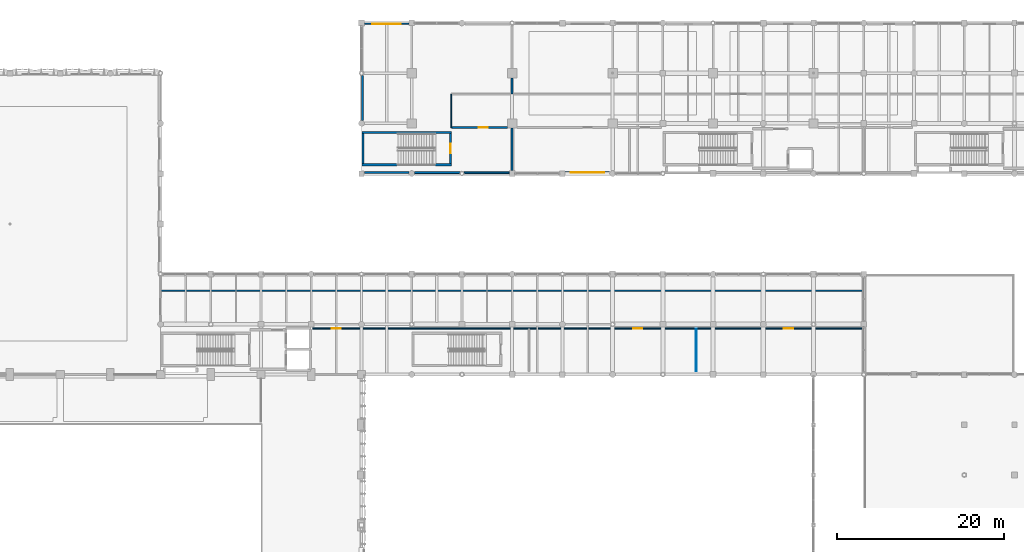
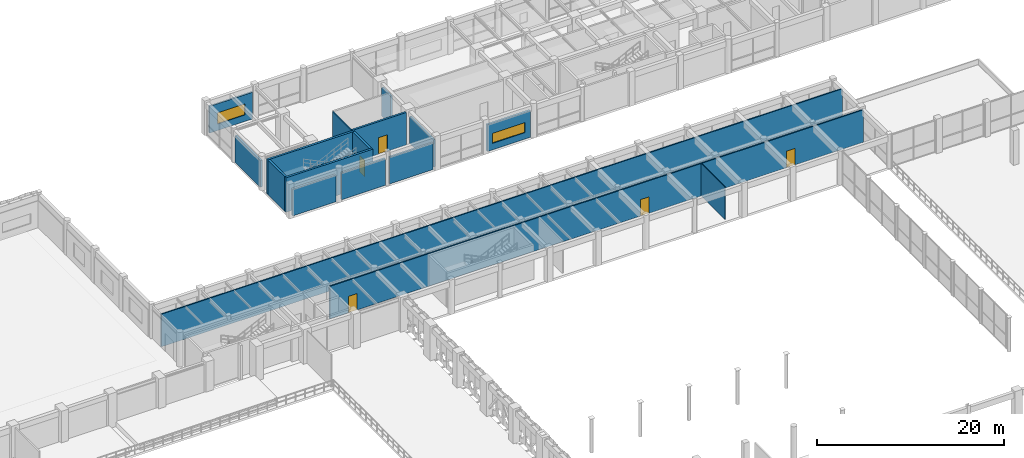
# One storey, part 91 of 116: 17 walls, 5 doors, 2 windows, 7 openings.
"""IFC4 building model written with IfcOpenShell, lengths in metres."""

from ifc_helpers import new_model, si_unit, direction, frame, frame_2d, origin, place, context, subcontext, project, spatial, rectangle, extrude, material, layer, layer_set, type_object, element, fill, save


model = new_model("IFC4")

# Units and contexts
model_context = context("Model", 3, precision=1e-05, world=origin(), true_north=direction((0.0, 1.0)))
body_context = subcontext(model_context, "Body", "Model", "MODEL_VIEW")
ifc_project = project(units=[si_unit("LENGTHUNIT", "METRE"), si_unit("AREAUNIT", "SQUARE_METRE"), si_unit("VOLUMEUNIT", "CUBIC_METRE"), si_unit("PLANEANGLEUNIT", "RADIAN"), si_unit("MASSUNIT", "GRAM", prefix="KILO"), si_unit("THERMODYNAMICTEMPERATUREUNIT", "KELVIN"), si_unit("POWERUNIT", "WATT")], contexts=[model_context])

# Site, building, storey
site_placement = place(None, origin())
site = spatial("IfcSite", under=ifc_project, at=site_placement, CompositionType="ELEMENT")
building_placement = place(site_placement, origin())
building = spatial("IfcBuilding", under=site, at=building_placement, Name="Phaisarnlok Congress Hotel", CompositionType="ELEMENT")
storey_placement = place(building_placement, frame((0.0, 0.0, 10.5)))
storey = spatial("IfcBuildingStorey", under=building, at=storey_placement, Name="L02", CompositionType="ELEMENT", Elevation=10.5)

# Wall
ifc_material_1 = material(Name="Concrete C40/50", Category="concrete")
ifc_layer_1 = layer(ifc_material_1, 0.2099609375, Name="Concrete C40/50")
ifc_layer_set_1 = layer_set([ifc_layer_1], Name="Concrete C40/50")
wall_type_1 = type_object("IfcWallType", Name="WL-EXT-210", PredefinedType="SOLIDWALL", material=ifc_layer_set_1)
wall_1_placement = place(storey_placement, frame((78.259033203125, 108.10498046875, 0.0), z_axis=(0.0, 0.0, 1.0), x_axis=(1.0, 0.0, 0.0)))
element("IfcWall", 1, at=wall_1_placement, inside=storey, type_object=wall_type_1, Name="Exterior wall EW-07 (L02)", PredefinedType="SOLIDWALL", context=body_context, shape_type="SweptSolid", body=[
    extrude(rectangle(XDim=5.385986328125, YDim=0.2099609375, at=frame_2d((2.69287109375, 0.0))), origin(), (0.0, 0.0, 1.0), 3.489990234375),
])

# Wall, opening, window
wall_2_placement = place(storey_placement, frame((71.669921875, 125.89501953125, 0.0), z_axis=(0.0, 0.0, 1.0), x_axis=(-1.0, 0.0, 0.0)))
wall_2 = element("IfcWall", 2, at=wall_2_placement, inside=storey, type_object=wall_type_1, Name="Exterior wall EW-07 (L02)", PredefinedType="SOLIDWALL", context=body_context, shape_type="SweptSolid", body=[
    extrude(rectangle(XDim=5.31494140625, YDim=0.2099609375, at=frame_2d((2.657470703125, 0.0))), origin(), (0.0, 0.0, 1.0), 3.489990234375),
])
opening_1_placement = place(wall_2_placement, frame((0.95703125, 0.0, 0.85009765625)))
opening_1 = element("IfcOpeningElement", 3, at=opening_1_placement, cuts=wall_2, Name="Opening W-18", PredefinedType="OPENING", context=body_context, shape_type="SweptSolid", body=[
    extrude(rectangle(XDim=3.39990234375, YDim=1.449951171875, at=frame_2d((1.699951171875, 0.72509765625))), frame((0.0, 0.114990234375, 0.0), z_axis=(0.0, -1.0, 0.0), x_axis=(1.0, 0.0, 0.0)), (0.0, 0.0, 1.0), 0.22998046875),
])
ifc_material_2 = material(Name="Thermally Broken Aluminium & Low-E Double Glazing", Category="aluminium")
window_type_1 = type_object("IfcWindowType", Name="WIN-RIB-3400", PartitioningType="SINGLE_PANEL", PredefinedType="WINDOW", material=ifc_material_2)
window_1_placement = place(opening_1_placement, origin())
window_1 = element("IfcWindow", 4, at=window_1_placement, inside=storey, type_object=window_type_1, Name="Podium window W-18 (L02)", OverallHeight=1.449951171875, OverallWidth=3.39990234375, PartitioningType="SINGLE_PANEL", PredefinedType="WINDOW", context=body_context, shape_type="SweptSolid", body=[
    extrude(rectangle(XDim=3.39990234375, YDim=1.449951171875, at=frame_2d((1.699951171875, 0.72509765625))), frame((0.0, 0.030029296875, 0.0), z_axis=(0.0, -1.0, 0.0), x_axis=(1.0, 0.0, 0.0)), (0.0, 0.0, 1.0), 0.06005859375),
])
fill(opening_1, window_1)

# Walls
ifc_layer_2 = layer(ifc_material_1, 0.22998046875, Name="Concrete C40/50")
ifc_layer_set_2 = layer_set([ifc_layer_2], Name="Concrete C40/50")
wall_type_2 = type_object("IfcWallType", Name="WL-EXT-230", PredefinedType="SOLIDWALL", material=ifc_layer_set_2)
wall_3_placement = place(storey_placement, frame((72.35498046875, 108.114990234375, 0.0), z_axis=(0.0, 0.0, 1.0), x_axis=(1.0, 0.0, 0.0)))
element("IfcWall", 5, at=wall_3_placement, inside=storey, type_object=wall_type_2, Name="Exterior wall EW-06 (L02)", PredefinedType="SOLIDWALL", context=body_context, shape_type="SweptSolid", body=[
    extrude(rectangle(XDim=5.385986328125, YDim=0.22998046875, at=frame_2d((2.69287109375, 0.0))), origin(), (0.0, 0.0, 1.0), 3.489990234375),
])
ifc_layer_3 = layer(ifc_material_1, 0.25, Name="Concrete C40/50")
ifc_layer_set_3 = layer_set([ifc_layer_3], Name="Concrete C40/50")
wall_type_3 = type_object("IfcWallType", Name="WL-EXT-250", PredefinedType="SOLIDWALL", material=ifc_layer_set_3)
wall_4_placement = place(storey_placement, frame((66.330078125, 108.125, 0.0), z_axis=(0.0, 0.0, 1.0), x_axis=(1.0, 0.0, 0.0)))
element("IfcWall", 6, at=wall_4_placement, inside=storey, type_object=wall_type_3, Name="Exterior wall EW-05 (L02)", PredefinedType="SOLIDWALL", context=body_context, shape_type="SweptSolid", body=[
    extrude(rectangle(XDim=5.31494140625, YDim=0.25, at=frame_2d((2.657470703125, 0.0))), origin(), (0.0, 0.0, 1.0), 3.489990234375),
])

# Wall, opening, window
wall_5_placement = place(storey_placement, frame((90.330078125, 108.125, 0.0), z_axis=(0.0, 0.0, 1.0), x_axis=(1.0, 0.0, 0.0)))
wall_5 = element("IfcWall", 7, at=wall_5_placement, inside=storey, type_object=wall_type_3, Name="Exterior wall EW-05 (L02)", PredefinedType="SOLIDWALL", context=body_context, shape_type="SweptSolid", body=[
    extrude(rectangle(XDim=5.31494140625, YDim=0.25, at=frame_2d((2.657470703125, 0.0))), origin(), (0.0, 0.0, 1.0), 3.489990234375),
])
opening_2_placement = place(wall_5_placement, frame((0.656982421875, 0.0, 0.85009765625)))
opening_2 = element("IfcOpeningElement", 8, at=opening_2_placement, cuts=wall_5, Name="Opening W-19", PredefinedType="OPENING", context=body_context, shape_type="SweptSolid", body=[
    extrude(rectangle(XDim=4.0, YDim=1.300048828125, at=frame_2d((2.0, 0.64990234375))), frame((0.0, 0.135009765625, 0.0), z_axis=(0.0, -1.0, 0.0), x_axis=(1.0, 0.0, 0.0)), (0.0, 0.0, 1.0), 0.27001953125),
])
window_type_2 = type_object("IfcWindowType", Name="WIN-CLER-4000", PartitioningType="SINGLE_PANEL", PredefinedType="WINDOW", material=ifc_material_2)
window_2_placement = place(opening_2_placement, origin())
window_2 = element("IfcWindow", 9, at=window_2_placement, inside=storey, type_object=window_type_2, Name="Podium window W-19 (L02)", OverallHeight=1.300048828125, OverallWidth=4.0, PartitioningType="SINGLE_PANEL", PredefinedType="WINDOW", context=body_context, shape_type="SweptSolid", body=[
    extrude(rectangle(XDim=4.0, YDim=1.300048828125, at=frame_2d((2.0, 0.64990234375))), frame((0.0, 0.030029296875, 0.0), z_axis=(0.0, -1.0, 0.0), x_axis=(1.0, 0.0, 0.0)), (0.0, 0.0, 1.0), 0.06005859375),
])
fill(opening_2, window_2)

# Walls
wall_6_placement = place(storey_placement, frame((66.125, 119.740966796875, 0.0), z_axis=(0.0, 0.0, 1.0), x_axis=(0.0, -1.0, 0.0)))
element("IfcWall", 10, at=wall_6_placement, inside=storey, type_object=wall_type_3, Name="Exterior wall EW-05 (L02)", PredefinedType="SOLIDWALL", context=body_context, shape_type="SweptSolid", body=[
    extrude(rectangle(XDim=5.385986328125, YDim=0.25, at=frame_2d((2.69287109375, 0.0))), origin(), (0.0, 0.0, 1.0), 3.489990234375),
])
ifc_material_3 = material(Name="Service Riser Shaftwall Partition", Category="gypsum")
ifc_layer_4 = layer(ifc_material_3, 0.10498046875, Name="Service Riser Shaftwall Partition")
ifc_layer_set_4 = layer_set([ifc_layer_4], Name="Service Riser Shaftwall Partition")
wall_type_4 = type_object("IfcWallType", Name="WL-INT-105", PredefinedType="PARTITIONING", material=ifc_layer_set_4)
wall_7_placement = place(storey_placement, frame((106.0, 84.3701171875, 0.0), z_axis=(0.0, 0.0, 1.0), x_axis=(0.0, 1.0, 0.0)))
element("IfcWall", 11, at=wall_7_placement, inside=storey, type_object=wall_type_4, Name="Interior partition wall IW-08 (L02)", PredefinedType="PARTITIONING", context=body_context, shape_type="SweptSolid", body=[
    extrude(rectangle(XDim=5.1298828125, YDim=0.10498046875, at=frame_2d((2.56494140625, 0.0))), origin(), (0.0, 0.0, 1.0), 4.239990234375),
])
ifc_material_4 = material(Name="Lightweight Metal-Stud Gypsum Partition", Category="gypsum")
ifc_layer_5 = layer(ifc_material_4, 0.1201171875, Name="Lightweight Metal-Stud Gypsum Partition")
ifc_layer_set_5 = layer_set([ifc_layer_5], Name="Lightweight Metal-Stud Gypsum Partition")
wall_type_5 = type_object("IfcWallType", Name="WL-INT-120", PredefinedType="PARTITIONING", material=ifc_layer_set_5)
wall_8_placement = place(storey_placement, frame((76.75, 113.5, 0.0), z_axis=(0.0, 0.0, 1.0), x_axis=(0.0, 1.0, 0.0)))
element("IfcWall", 12, at=wall_8_placement, inside=storey, type_object=wall_type_5, Name="Interior partition wall IW-07 (L02)", PredefinedType="PARTITIONING", context=body_context, shape_type="SweptSolid", body=[
    extrude(rectangle(XDim=4.0, YDim=0.1201171875, at=frame_2d((2.0, 0.0))), origin(), (0.0, 0.0, 1.0), 4.239990234375),
])
ifc_material_5 = material(Name="Acoustic Gypsum Board & Mineral Wool", Category="gypsum")
ifc_layer_6 = layer(ifc_material_5, 0.14990234375, Name="Acoustic Gypsum Board & Mineral Wool")
ifc_layer_set_6 = layer_set([ifc_layer_6], Name="Acoustic Gypsum Board & Mineral Wool")
wall_type_6 = type_object("IfcWallType", Name="WL-INT-150", PredefinedType="PARTITIONING", material=ifc_layer_set_6)
wall_9_placement = place(storey_placement, frame((42.0, 94.0, 0.0), z_axis=(0.0, 0.0, 1.0), x_axis=(1.0, 0.0, 0.0)))
element("IfcWall", 13, at=wall_9_placement, inside=storey, type_object=wall_type_6, Name="Interior partition wall IW-05 (L02)", PredefinedType="PARTITIONING", context=body_context, shape_type="SweptSolid", body=[
    extrude(rectangle(XDim=83.955078125, YDim=0.14990234375, at=frame_2d((41.9775390625, 0.0))), origin(), (0.0, 0.0, 1.0), 4.239990234375),
])

# Wall, openings, doors
ifc_material_6 = material(Name="Double-Stud Acoustic Gypsum Partition", Category="gypsum")
ifc_layer_7 = layer(ifc_material_6, 0.159912109375, Name="Double-Stud Acoustic Gypsum Partition")
ifc_layer_set_7 = layer_set([ifc_layer_7], Name="Double-Stud Acoustic Gypsum Partition")
wall_type_7 = type_object("IfcWallType", Name="WL-INT-160", PredefinedType="PARTITIONING", material=ifc_layer_set_7)
wall_10_placement = place(storey_placement, frame((60.179931640625, 89.5, 0.0), z_axis=(0.0, 0.0, 1.0), x_axis=(1.0, 0.0, 0.0)))
wall_10 = element("IfcWall", 14, at=wall_10_placement, inside=storey, type_object=wall_type_7, Name="Interior partition wall IW-04 (L02)", PredefinedType="PARTITIONING", context=body_context, shape_type="SweptSolid", body=[
    extrude(rectangle(XDim=65.775146484375, YDim=0.159912109375, at=frame_2d((32.8876953125, 0.0))), origin(), (0.0, 0.0, 1.0), 4.239990234375),
])
opening_3_placement = place(wall_10_placement, frame((38.27001953125, 0.0, 0.0)))
opening_3 = element("IfcOpeningElement", 15, at=opening_3_placement, cuts=wall_10, Name="Opening D-0091", PredefinedType="OPENING", context=body_context, shape_type="SweptSolid", body=[
    extrude(rectangle(XDim=1.10009765625, YDim=2.14990234375, at=frame_2d((0.550048828125, 1.074951171875))), frame((0.0, 0.08984375, 0.0), z_axis=(0.0, -1.0, 0.0), x_axis=(1.0, 0.0, 0.0)), (0.0, 0.0, 1.0), 0.179931640625),
])
opening_4_placement = place(wall_10_placement, frame((56.27001953125, 0.0, 0.0)))
opening_4 = element("IfcOpeningElement", 16, at=opening_4_placement, cuts=wall_10, Name="Opening D-0092", PredefinedType="OPENING", context=body_context, shape_type="SweptSolid", body=[
    extrude(rectangle(XDim=1.10009765625, YDim=2.14990234375, at=frame_2d((0.550048828125, 1.074951171875))), frame((0.0, 0.08984375, 0.0), z_axis=(0.0, -1.0, 0.0), x_axis=(1.0, 0.0, 0.0)), (0.0, 0.0, 1.0), 0.179931640625),
])
opening_5_placement = place(wall_10_placement, frame((2.27001953125, 0.0, 0.0)))
opening_5 = element("IfcOpeningElement", 17, at=opening_5_placement, cuts=wall_10, Name="Opening D-0093", PredefinedType="OPENING", context=body_context, shape_type="SweptSolid", body=[
    extrude(rectangle(XDim=1.10009765625, YDim=2.14990234375, at=frame_2d((0.550048828125, 1.074951171875))), frame((0.0, 0.08984375, 0.0), z_axis=(0.0, -1.0, 0.0), x_axis=(1.0, 0.0, 0.0)), (0.0, 0.0, 1.0), 0.179931640625),
])
ifc_material_7 = material(Name="Fire-Rated Steel Frame & Timber Leaf", Category="steel")
door_type = type_object("IfcDoorType", Name="DR-FD60-1100", OperationType="NOTDEFINED", PredefinedType="DOOR", material=ifc_material_7)
door_1_placement = place(opening_3_placement, origin())
door_1 = element("IfcDoor", 18, at=door_1_placement, inside=storey, type_object=door_type, Name="Interior door D-0091 (L02)", OperationType="SINGLE_SWING_LEFT", OverallHeight=2.14990234375, OverallWidth=1.10009765625, PredefinedType="DOOR", context=body_context, shape_type="SweptSolid", body=[
    extrude(rectangle(XDim=1.10009765625, YDim=2.14990234375, at=frame_2d((0.550048828125, 1.074951171875))), frame((0.0, 0.02490234375, 0.0), z_axis=(0.0, -1.0, 0.0), x_axis=(1.0, 0.0, 0.0)), (0.0, 0.0, 1.0), 0.050048828125),
])
fill(opening_3, door_1)
door_2_placement = place(opening_4_placement, origin())
door_2 = element("IfcDoor", 19, at=door_2_placement, inside=storey, type_object=door_type, Name="Interior door D-0092 (L02)", OperationType="SINGLE_SWING_RIGHT", OverallHeight=2.14990234375, OverallWidth=1.10009765625, PredefinedType="DOOR", context=body_context, shape_type="SweptSolid", body=[
    extrude(rectangle(XDim=1.10009765625, YDim=2.14990234375, at=frame_2d((0.550048828125, 1.074951171875))), frame((0.0, 0.02490234375, 0.0), z_axis=(0.0, -1.0, 0.0), x_axis=(1.0, 0.0, 0.0)), (0.0, 0.0, 1.0), 0.050048828125),
])
fill(opening_4, door_2)
door_3_placement = place(opening_5_placement, origin())
door_3 = element("IfcDoor", 20, at=door_3_placement, inside=storey, type_object=door_type, Name="Interior door D-0093 (L02)", OperationType="SINGLE_SWING_LEFT", OverallHeight=2.14990234375, OverallWidth=1.10009765625, PredefinedType="DOOR", context=body_context, shape_type="SweptSolid", body=[
    extrude(rectangle(XDim=1.10009765625, YDim=2.14990234375, at=frame_2d((0.550048828125, 1.074951171875))), frame((0.0, 0.02490234375, 0.0), z_axis=(0.0, -1.0, 0.0), x_axis=(1.0, 0.0, 0.0)), (0.0, 0.0, 1.0), 0.050048828125),
])
fill(opening_5, door_3)

# Walls
ifc_layer_8 = layer(ifc_material_1, 0.239990234375, Name="Concrete C40/50")
ifc_layer_set_8 = layer_set([ifc_layer_8], Name="Concrete C40/50")
wall_type_8 = type_object("IfcWallType", Name="WL-INT-240", PredefinedType="PARTITIONING", material=ifc_layer_set_8)
wall_11_placement = place(storey_placement, frame((84.0, 108.3701171875, 0.0), z_axis=(0.0, 0.0, 1.0), x_axis=(0.0, 1.0, 0.0)))
element("IfcWall", 21, at=wall_11_placement, inside=storey, type_object=wall_type_8, Name="Interior partition wall IW-01 (L02)", PredefinedType="PARTITIONING", context=body_context, shape_type="SweptSolid", body=[
    extrude(rectangle(XDim=5.074951171875, YDim=0.239990234375, at=frame_2d((2.53759765625, 0.0))), origin(), (0.0, 0.0, 1.0), 3.5400390625),
])
wall_12_placement = place(storey_placement, frame((84.0, 117.5, 0.0), z_axis=(0.0, 0.0, 1.0), x_axis=(0.0, 1.0, 0.0)))
element("IfcWall", 22, at=wall_12_placement, inside=storey, type_object=wall_type_8, Name="Interior partition wall IW-01 (L02)", PredefinedType="PARTITIONING", context=body_context, shape_type="SweptSolid", body=[
    extrude(rectangle(XDim=1.945068359375, YDim=0.239990234375, at=frame_2d((0.97265625, 0.0))), origin(), (0.0, 0.0, 1.0), 3.68994140625),
])

# Wall, opening, door
wall_13_placement = place(storey_placement, frame((76.75, 113.5, 0.0), z_axis=(0.0, 0.0, 1.0), x_axis=(1.0, 0.0, 0.0)))
wall_13 = element("IfcWall", 23, at=wall_13_placement, inside=storey, type_object=wall_type_8, Name="Interior partition wall IW-01 (L02)", PredefinedType="PARTITIONING", context=body_context, shape_type="SweptSolid", body=[
    extrude(rectangle(XDim=6.695068359375, YDim=0.239990234375, at=frame_2d((3.34765625, 0.0))), origin(), (0.0, 0.0, 1.0), 4.239990234375),
])
opening_6_placement = place(wall_13_placement, frame((3.25, 0.0, 0.0)))
opening_6 = element("IfcOpeningElement", 24, at=opening_6_placement, cuts=wall_13, Name="Opening D-0108", PredefinedType="OPENING", context=body_context, shape_type="SweptSolid", body=[
    extrude(rectangle(XDim=1.10009765625, YDim=2.14990234375, at=frame_2d((0.550048828125, 1.074951171875))), frame((0.0, 0.1298828125, 0.0), z_axis=(0.0, -1.0, 0.0), x_axis=(1.0, 0.0, 0.0)), (0.0, 0.0, 1.0), 0.260009765625),
])
door_4_placement = place(opening_6_placement, origin())
door_4 = element("IfcDoor", 25, at=door_4_placement, inside=storey, type_object=door_type, Name="Interior door D-0108 (L02)", OperationType="SINGLE_SWING_LEFT", OverallHeight=2.14990234375, OverallWidth=1.10009765625, PredefinedType="DOOR", context=body_context, shape_type="SweptSolid", body=[
    extrude(rectangle(XDim=1.10009765625, YDim=2.14990234375, at=frame_2d((0.550048828125, 1.074951171875))), frame((0.0, 0.02490234375, 0.0), z_axis=(0.0, -1.0, 0.0), x_axis=(1.0, 0.0, 0.0)), (0.0, 0.0, 1.0), 0.050048828125),
])
fill(opening_6, door_4)

# Walls
ifc_material_8 = material(Name="Concrete C50/60", Category="concrete")
ifc_layer_9 = layer(ifc_material_8, 0.260009765625, Name="Concrete C50/60")
ifc_layer_set_9 = layer_set([ifc_layer_9], Name="Concrete C50/60")
wall_type_9 = type_object("IfcWallType", Name="WL-SHR-260", PredefinedType="SHEAR", material=ifc_layer_set_9)
for number, where, z_axis, x_axis, name in (
    (26, (66.0400390625, 109.070068359375, 0.0), (0.0, 0.0, 1.0), (1.0, 0.0, 0.0), "Stair shaft shear wall SW-04 (STAIR-HW L02)"),
    (27, (66.0400390625, 112.929931640625, 0.0), (0.0, 0.0, 1.0), (1.0, 0.0, 0.0), "Stair shaft shear wall SW-04 (STAIR-HW L02)"),
):
    element("IfcWall", number, at=place(storey_placement, frame(where, z_axis=z_axis, x_axis=x_axis)), inside=storey, type_object=wall_type_9, Name=name, PredefinedType="SHEAR", context=body_context, shape_type="SweptSolid", body=[
        extrude(rectangle(XDim=10.719970703125, YDim=0.260009765625, at=frame_2d((5.35986328125, 0.0))), origin(), (0.0, 0.0, 1.0), 4.5),
    ])

# Wall, opening, door
wall_14_placement = place(storey_placement, frame((76.6298828125, 109.199951171875, 0.0), z_axis=(0.0, 0.0, 1.0), x_axis=(0.0, 1.0, 0.0)))
wall_14 = element("IfcWall", 28, at=wall_14_placement, inside=storey, type_object=wall_type_9, Name="Stair shaft shear wall SW-04 (STAIR-HW L02)", PredefinedType="SHEAR", context=body_context, shape_type="SweptSolid", body=[
    extrude(rectangle(XDim=3.60009765625, YDim=0.260009765625, at=frame_2d((1.800048828125, 0.0))), origin(), (0.0, 0.0, 1.0), 4.5),
])
opening_7_placement = place(wall_14_placement, frame((1.25, 0.0, 0.0)))
opening_7 = element("IfcOpeningElement", 29, at=opening_7_placement, cuts=wall_14, Name="Opening FD-148", PredefinedType="OPENING", context=body_context, shape_type="SweptSolid", body=[
    extrude(rectangle(XDim=1.10009765625, YDim=2.14990234375, at=frame_2d((0.550048828125, 1.074951171875))), frame((0.0, 0.14013671875, 0.0), z_axis=(0.0, -1.0, 0.0), x_axis=(1.0, 0.0, 0.0)), (0.0, 0.0, 1.0), 0.280029296875),
])
door_5_placement = place(opening_7_placement, origin())
door_5 = element("IfcDoor", 30, at=door_5_placement, inside=storey, type_object=door_type, Name="Stair enclosure fire door FD-148 (L02)", OperationType="SINGLE_SWING_LEFT", OverallHeight=2.14990234375, OverallWidth=1.10009765625, PredefinedType="DOOR", context=body_context, shape_type="SweptSolid", body=[
    extrude(rectangle(XDim=1.10009765625, YDim=2.14990234375, at=frame_2d((0.550048828125, 1.074951171875))), frame((0.0, 0.02490234375, 0.0), z_axis=(0.0, -1.0, 0.0), x_axis=(1.0, 0.0, 0.0)), (0.0, 0.0, 1.0), 0.050048828125),
])
fill(opening_7, door_5)

# Wall
ifc_layer_10 = layer(ifc_material_8, 0.260009765625, Name="Concrete C50/60")
ifc_layer_set_10 = layer_set([ifc_layer_10], Name="Concrete C50/60")
wall_type_10 = type_object("IfcWallType", Name="WL-SHR-260-EXT", PredefinedType="SHEAR", material=ifc_layer_set_10)
wall_15_placement = place(storey_placement, frame((66.169921875, 109.199951171875, 0.0), z_axis=(0.0, 0.0, 1.0), x_axis=(0.0, 1.0, 0.0)))
element("IfcWall", 31, at=wall_15_placement, inside=storey, type_object=wall_type_10, Name="Stair shaft shear wall SW-04E (STAIR-HW L02)", PredefinedType="SHEAR", context=body_context, shape_type="SweptSolid", body=[
    extrude(rectangle(XDim=3.60009765625, YDim=0.260009765625, at=frame_2d((1.800048828125, 0.0))), origin(), (0.0, 0.0, 1.0), 4.5),
])

save(model, "model.ifc")
